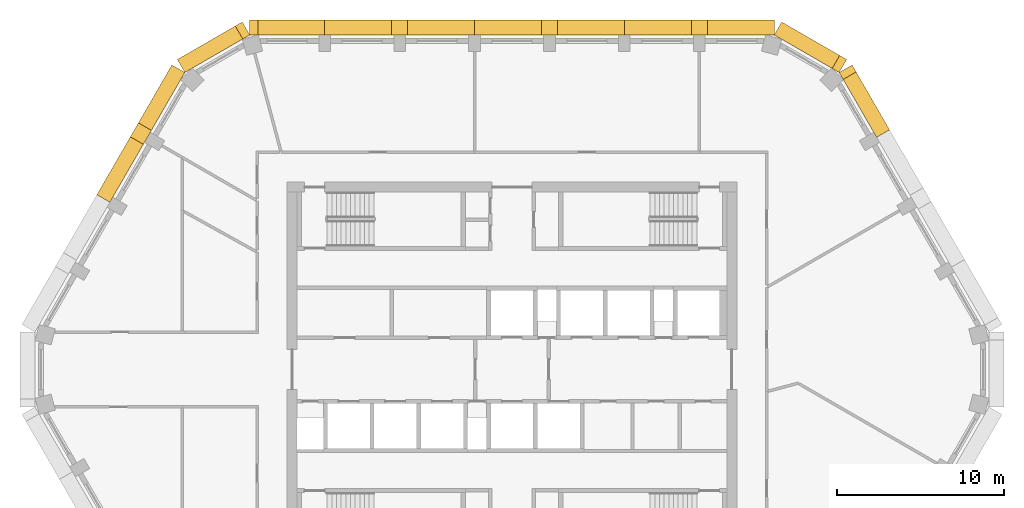
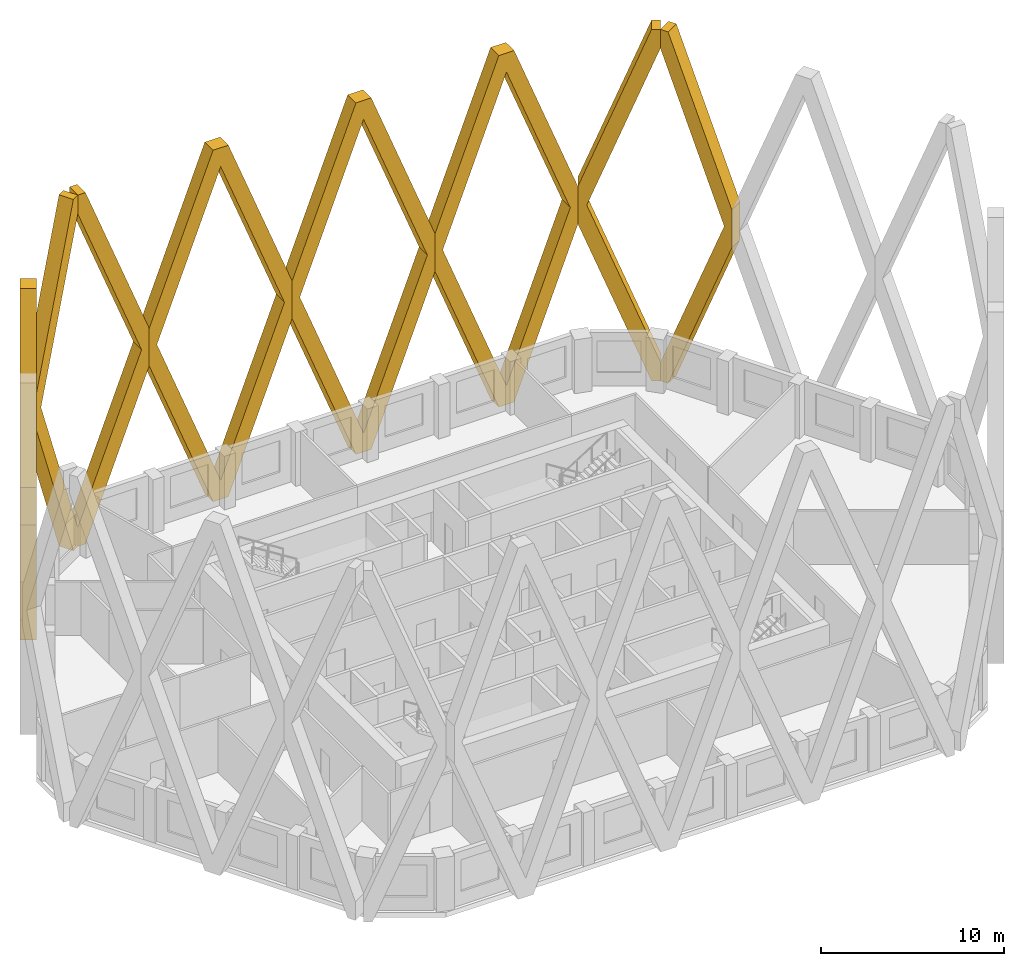
# One storey, part 13 of 13: 8 coverings.
"""IFC4 building model written with IfcOpenShell, lengths in metres."""

import ifcopenshell
import ifcopenshell.guid

model = None  # the IFC model being written
_history = None  # IfcOwnerHistory: only IFC2X3 demands one
_inside = {}  # id of a spatial element -> (the spatial element, [elements in it])
_under = {}  # id of a project, library or spatial element -> (it, [spatial elements below it])
_declared = {}  # id of a project -> (the project, [libraries it declares])
_typed = {}  # id of a type object -> (the type object, [elements of that type])
_made_of = {}  # id of a material, layer set ... -> (it, [elements and type objects made of it])


def new_model(schema):
    """Start an empty IFC model of exactly this schema.

    Asked for "IFC4X3", IfcOpenShell would pick the latest addendum, in which some entities
    have other attributes; the version numbers below select the first issue.
    IFC2X3 requires an IfcOwnerHistory on every rooted entity: one is made here for all.
    """
    global model, _history
    if schema == "IFC4X3":
        model = ifcopenshell.file(schema_version=(4, 3, 0, 0))
    else:
        model = ifcopenshell.file(schema=schema)
    _inside.clear()
    _under.clear()
    _declared.clear()
    _typed.clear()
    _made_of.clear()
    _history = None
    if model.schema == "IFC2X3":
        org = make("IfcOrganization", Name="unknown")
        user = make(
            "IfcPersonAndOrganization",
            ThePerson=make("IfcPerson", FamilyName="unknown"),
            TheOrganization=org,
        )
        app = make(
            "IfcApplication",
            ApplicationDeveloper=org,
            Version="unknown",
            ApplicationFullName="unknown",
            ApplicationIdentifier="unknown",
        )
        _history = make(
            "IfcOwnerHistory",
            OwningUser=user,
            OwningApplication=app,
            ChangeAction="ADDED",
            CreationDate=0,
        )
    return model


def make(cls, **values):
    """One entity of the class cls with the attributes given. An attribute that is None is left unset."""
    return model.create_entity(
        cls, **{name: value for name, value in values.items() if value is not None}
    )


def rooted(cls, **values):
    """An entity with a GlobalId (a new one), such as an element, a storey or a relation."""
    return make(cls, GlobalId=ifcopenshell.guid.new(), OwnerHistory=_history, **values)


def si_unit(unit_type, name, prefix=None):
    """IfcSIUnit, for example si_unit("LENGTHUNIT", "METRE", prefix="MILLI")."""
    return make("IfcSIUnit", UnitType=unit_type, Prefix=prefix, Name=name)


def assignment(units):
    """IfcUnitAssignment: the units of a project."""
    return None if units is None else make("IfcUnitAssignment", Units=units)


def point(xyz):
    """IfcCartesianPoint."""
    return None if xyz is None else make("IfcCartesianPoint", Coordinates=xyz)


def direction(xyz):
    """IfcDirection."""
    return None if xyz is None else make("IfcDirection", DirectionRatios=xyz)


def frame(location, z_axis=None, x_axis=None):
    """IfcAxis2Placement3D, a coordinate frame: its origin and axes. An axis left out is left unset."""
    return make(
        "IfcAxis2Placement3D",
        Location=point(location),
        Axis=direction(z_axis),
        RefDirection=direction(x_axis),
    )


def origin():
    """The frame at (0, 0, 0) with its axes left unset."""
    return frame((0.0, 0.0, 0.0))


def place(relative_to, where):
    """IfcLocalPlacement: puts the frame where relative to a parent placement (None: the world)."""
    return make(
        "IfcLocalPlacement", PlacementRelTo=relative_to, RelativePlacement=where
    )


def context(
    kind, dimensions, precision=None, world=None, true_north=None, identifier=None
):
    """IfcGeometricRepresentationContext, for example the 3D "Model" context."""
    return make(
        "IfcGeometricRepresentationContext",
        ContextIdentifier=identifier,
        ContextType=kind,
        CoordinateSpaceDimension=dimensions,
        Precision=precision,
        WorldCoordinateSystem=world,
        TrueNorth=true_north,
    )


def subcontext(parent, identifier, kind, view, scale=None):
    """IfcGeometricRepresentationSubContext, for example "Body" below "Model"."""
    return make(
        "IfcGeometricRepresentationSubContext",
        ContextIdentifier=identifier,
        ContextType=kind,
        ParentContext=parent,
        TargetScale=scale,
        TargetView=view,
    )


def project(units=None, contexts=None):
    """IfcProject with its units and contexts."""
    return rooted(
        "IfcProject",
        Name="project",
        RepresentationContexts=contexts,
        UnitsInContext=assignment(units),
    )


def spatial(cls, under=None, at=None, **own):
    """A site, building, storey or space (cls), placed at a placement, below another one or the project."""
    s = rooted(cls, ObjectPlacement=at, **own)
    if under is not None:
        _under.setdefault(under.id(), (under, []))[1].append(s)
    return s


def polyline(points):
    """IfcPolyline through the points."""
    return make("IfcPolyline", Points=[point(p) for p in points])


def outline(outer, holes=None, kind="AREA"):
    """IfcArbitraryClosedProfileDef: a profile drawn as a closed curve; with holes, ...WithVoids."""
    if holes is None:
        return make("IfcArbitraryClosedProfileDef", ProfileType=kind, OuterCurve=outer)
    return make(
        "IfcArbitraryProfileDefWithVoids",
        ProfileType=kind,
        OuterCurve=outer,
        InnerCurves=holes,
    )


def extrude(swept, where, along, depth):
    """IfcExtrudedAreaSolid: the profile swept, set in the frame where, extruded along a direction by depth."""
    return make(
        "IfcExtrudedAreaSolid",
        SweptArea=swept,
        Position=where,
        ExtrudedDirection=direction(along),
        Depth=depth,
    )


def shape(context_of_items, identifier, shape_type, items):
    """IfcShapeRepresentation: the items that make up one representation, for example the "Body"."""
    return make(
        "IfcShapeRepresentation",
        ContextOfItems=context_of_items,
        RepresentationIdentifier=identifier,
        RepresentationType=shape_type,
        Items=items,
    )


def material(Name=None, Category=None):
    """IfcMaterial."""
    return make("IfcMaterial", Name=Name, Category=Category)


def made_of(thing, what):
    """Note that an element or type object is made of a material, layer set ...; save() writes the relation."""
    if what is not None:
        _made_of.setdefault(what.id(), (what, []))[1].append(thing)
    return thing


def type_object(cls, material=None, **own):
    """A type object (cls), such as IfcWallType, which elements share."""
    return made_of(rooted(cls, **own), material)


def element(
    cls,
    number,
    at=None,
    inside=None,
    cuts=None,
    type_object=None,
    material=None,
    context=None,
    identifier="Body",
    shape_type=None,
    held_by="IfcProductDefinitionShape",
    body=None,
    shapes=None,
    **own,
):
    """One element of the class cls, such as IfcWall. Its Tag is "e" and its number.

    at: its placement. inside: the storey or other place that contains it. cuts: it is an
    opening in that element (IfcRelVoidsElement). A single representation is given by context,
    identifier, shape_type and body (its items); several are given by shapes. held_by: the class
    of the entity that holds the representations. save() writes the other relations.
    """
    e = rooted(cls, Tag="e%d" % number, ObjectPlacement=at, **own)
    if body is not None:
        shapes = [shape(context, identifier, shape_type, body)]
    if shapes is not None:
        e.Representation = make(held_by, Representations=shapes)
    if inside is not None:
        _inside.setdefault(inside.id(), (inside, []))[1].append(e)
    if cuts is not None:
        rooted(
            "IfcRelVoidsElement", RelatingBuildingElement=cuts, RelatedOpeningElement=e
        )
    if type_object is not None:
        _typed.setdefault(type_object.id(), (type_object, []))[1].append(e)
    return made_of(e, material)


def aggregate(whole, parts):
    """IfcRelAggregates: a whole, such as a stair, and the parts it consists of."""
    return rooted("IfcRelAggregates", RelatingObject=whole, RelatedObjects=parts)


def save(model, path):
    """Write the relations noted so far, then the file.

    IfcRelAggregates (storeys below a building ...), IfcRelContainedInSpatialStructure (elements
    in a storey), IfcRelDefinesByType, IfcRelAssociatesMaterial and IfcRelDeclares: one each for
    every whole, place, type object, material and project.
    """
    for whole, parts in _under.values():
        aggregate(whole, parts)
    for where, things in _inside.values():
        rooted(
            "IfcRelContainedInSpatialStructure",
            RelatedElements=things,
            RelatingStructure=where,
        )
    for kind, things in _typed.values():
        rooted("IfcRelDefinesByType", RelatedObjects=things, RelatingType=kind)
    for what, things in _made_of.values():
        rooted("IfcRelAssociatesMaterial", RelatedObjects=things, RelatingMaterial=what)
    for by, libraries in _declared.values():
        rooted("IfcRelDeclares", RelatingContext=by, RelatedDefinitions=libraries)
    model.write(path)


model = new_model("IFC4")

# Units and contexts
model_context = context("Model", 3, precision=1e-05, world=origin(), true_north=direction((0.0, 1.0)))
body_context = subcontext(model_context, "Body", "Model", "MODEL_VIEW")
ifc_project = project(units=[si_unit("LENGTHUNIT", "METRE"), si_unit("AREAUNIT", "SQUARE_METRE"), si_unit("VOLUMEUNIT", "CUBIC_METRE"), si_unit("PLANEANGLEUNIT", "RADIAN"), si_unit("MASSUNIT", "GRAM", prefix="KILO")], contexts=[model_context])

# Site, building, storey
site_placement = place(None, origin())
site = spatial("IfcSite", under=ifc_project, at=site_placement, CompositionType="ELEMENT")
building_placement = place(site_placement, origin())
building = spatial("IfcBuilding", under=site, at=building_placement, Name="Dhurran Vertical Campus", CompositionType="ELEMENT")
storey_placement = place(building_placement, frame((0.0, 0.0, 258.60009765625)))
storey = spatial("IfcBuildingStorey", under=building, at=storey_placement, Name="L64", CompositionType="ELEMENT", Elevation=258.60009765625)

# Coverings
ifc_material = material(Name="Precast concrete C50/60", Category="concrete")
covering_type = type_object("IfcCoveringType", Name="Folded precast fin lattice diamond", PredefinedType="USERDEFINED", material=ifc_material)
covering_1_placement = place(storey_placement, frame((21.897216796875, 13.94140625, 0.0), z_axis=(0.866013897511, 0.50001992892, 0.0), x_axis=(-0.50001992892, 0.866013897511, 0.0)))
element("IfcCovering", 1, at=covering_1_placement, inside=storey, type_object=covering_type, Name="FN1 L64.011", ObjectType="FIN", PredefinedType="USERDEFINED", context=body_context, shape_type="SweptSolid", body=[
    extrude(outline(polyline([(4.017822265625, 0.0), (0.0, 10.4462890625), (0.0, 12.95361328125), (4.017822265625, 23.39990234375), (4.5, 23.39990234375), (4.5, 22.146484375), (0.482177734375, 11.699951171875), (4.5, 1.253662109375), (4.5, 0.0), (4.017822265625, 0.0)])), origin(), (0.0, 0.0, 1.0), 0.89990234375),
])
covering_2_placement = place(storey_placement, frame((19.647216796875, 17.83837890625, 0.0), z_axis=(0.499902469156, 0.866081705922, 0.0), x_axis=(-0.866081705922, 0.499902469156, 0.0)))
element("IfcCovering", 2, at=covering_2_placement, inside=storey, type_object=covering_type, Name="FN1 L64.012", ObjectType="FIN", PredefinedType="USERDEFINED", context=body_context, shape_type="SweptSolid", body=[
    extrude(outline(polyline([(4.5, 10.4462890625), (0.482177734375, 0.0), (0.0, 0.0), (0.0, 1.253662109375), (4.017822265625, 11.699951171875), (0.0, 22.146484375), (0.0, 23.39990234375), (0.482177734375, 23.39990234375), (4.5, 12.95361328125), (4.5, 10.4462890625)])), origin(), (0.0, 0.0, 1.0), 0.900146484375),
])
for number, where, z_axis, x_axis, name in (
    (3, (15.75, 20.08837890625, 0.0), (0.0, 1.0, 0.0), (-1.0, 0.0, 0.0), "FN1 L64.013"),
    (4, (6.75, 20.08837890625, 0.0), (0.0, 1.0, 0.0), (-1.0, 0.0, 0.0), "FN1 L64.014"),
    (5, (-2.25, 20.08837890625, 0.0), (0.0, 1.0, 0.0), (-1.0, 0.0, 0.0), "FN1 L64.015"),
):
    element("IfcCovering", number, at=place(storey_placement, frame(where, z_axis=z_axis, x_axis=x_axis)), inside=storey, type_object=covering_type, Name=name, ObjectType="FIN", PredefinedType="USERDEFINED", context=body_context, shape_type="SweptSolid", body=[
        extrude(outline(polyline([(9.0, 12.95361328125), (9.0, 10.4462890625), (4.982177734375, 0.0), (4.017822265625, 0.0), (0.0, 10.4462890625), (0.0, 12.95361328125), (4.017822265625, 23.39990234375), (4.982177734375, 23.39990234375), (9.0, 12.95361328125)]), holes=[polyline([(8.517822265625, 11.699951171875), (4.5, 22.146484375), (0.482177734375, 11.699951171875), (4.5, 1.253662109375), (8.517822265625, 11.699951171875)])]), origin(), (0.0, 0.0, 1.0), 0.900146484375),
    ])
covering_3_placement = place(storey_placement, frame((-11.25, 20.08837890625, 0.0), z_axis=(0.0, 1.0, 0.0), x_axis=(-1.0, 0.0, 0.0)))
element("IfcCovering", 6, at=covering_3_placement, inside=storey, type_object=covering_type, Name="FN1 L64.016", ObjectType="FIN", PredefinedType="USERDEFINED", context=body_context, shape_type="SweptSolid", body=[
    extrude(outline(polyline([(4.017822265625, 0.0), (0.0, 10.4462890625), (0.0, 12.95361328125), (4.017822265625, 23.39990234375), (4.5, 23.39990234375), (4.5, 22.146484375), (0.482177734375, 11.699951171875), (4.5, 1.253662109375), (4.5, 0.0), (4.017822265625, 0.0)])), origin(), (0.0, 0.0, 1.0), 0.900146484375),
])
covering_4_placement = place(storey_placement, frame((-15.75, 20.08837890625, 0.0), z_axis=(-0.499902469156, 0.866081705922, 0.0), x_axis=(-0.866081705922, -0.499902469156, 0.0)))
element("IfcCovering", 7, at=covering_4_placement, inside=storey, type_object=covering_type, Name="FN1 L64.017", ObjectType="FIN", PredefinedType="USERDEFINED", context=body_context, shape_type="SweptSolid", body=[
    extrude(outline(polyline([(4.5, 10.4462890625), (0.482177734375, 0.0), (0.0, 0.0), (0.0, 1.253662109375), (4.017822265625, 11.699951171875), (0.0, 22.146484375), (0.0, 23.39990234375), (0.482177734375, 23.39990234375), (4.5, 12.95361328125), (4.5, 10.4462890625)])), origin(), (0.0, 0.0, 1.0), 0.900146484375),
])
covering_5_placement = place(storey_placement, frame((-19.647216796875, 17.83837890625, 0.0), z_axis=(-0.865896406789, 0.500223362819, 0.0), x_axis=(-0.500223362819, -0.865896406789, 0.0)))
element("IfcCovering", 8, at=covering_5_placement, inside=storey, type_object=covering_type, Name="FN1 L64.018", ObjectType="FIN", PredefinedType="USERDEFINED", context=body_context, shape_type="SweptSolid", body=[
    extrude(outline(polyline([(9.0, 12.95361328125), (9.0, 10.4462890625), (4.982177734375, 0.0), (4.017822265625, 0.0), (0.0, 10.4462890625), (0.0, 12.95361328125), (4.017822265625, 23.39990234375), (4.982177734375, 23.39990234375), (9.0, 12.95361328125)]), holes=[polyline([(8.517822265625, 11.699951171875), (4.5, 22.146484375), (0.482177734375, 11.699951171875), (4.5, 1.253662109375), (8.517822265625, 11.699951171875)])]), origin(), (0.0, 0.0, 1.0), 0.89990234375),
])

save(model, "model.ifc")
